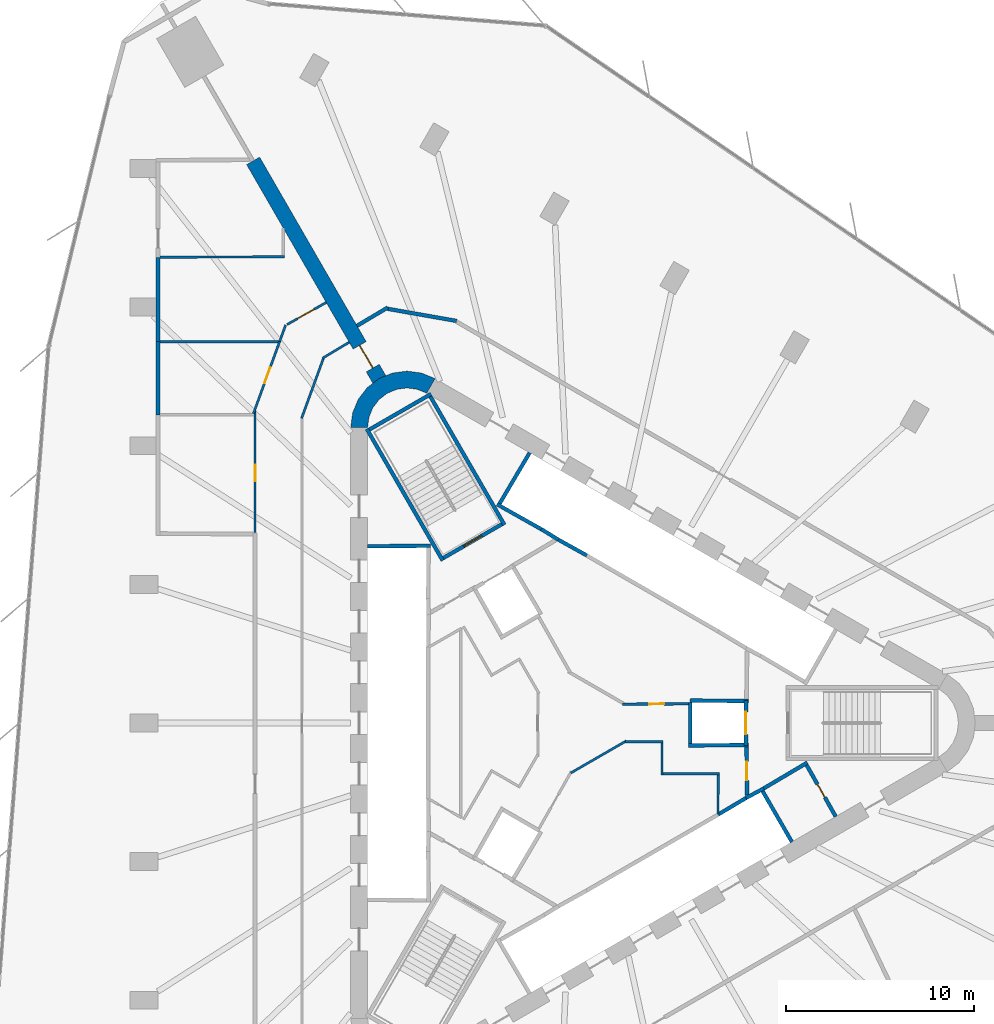
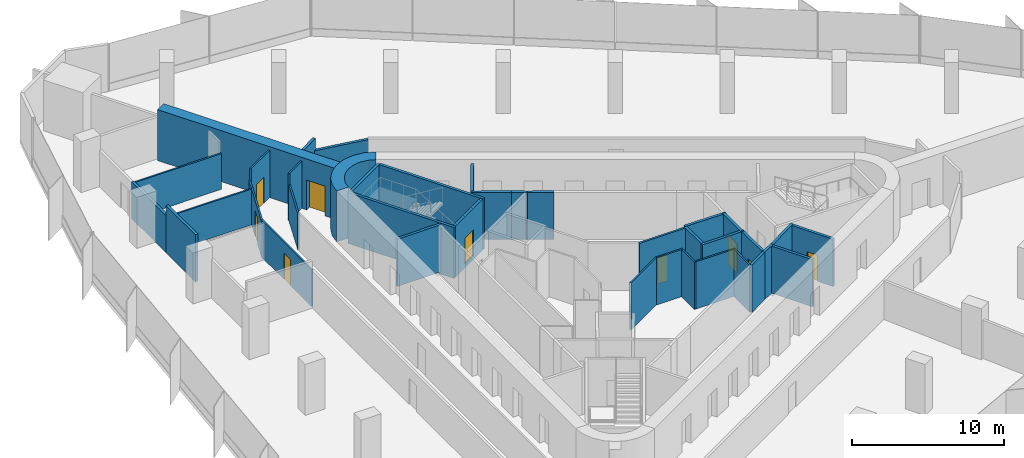
# One storey, part 11 of 14: 39 walls, 9 doors, 9 openings.
"""IFC4 building model written with IfcOpenShell, lengths in metres."""

from ifc_helpers import new_model, si_unit, direction, frame, frame_2d, origin, place, context, subcontext, project, spatial, polyline, rectangle, outline, extrude, material, layer, layer_set, type_object, element, fill, save


model = new_model("IFC4")

# Units and contexts
model_context = context("Model", 3, precision=1e-05, world=origin(), true_north=direction((0.0, 1.0)))
body_context = subcontext(model_context, "Body", "Model", "MODEL_VIEW")
ifc_project = project(units=[si_unit("LENGTHUNIT", "METRE"), si_unit("AREAUNIT", "SQUARE_METRE"), si_unit("VOLUMEUNIT", "CUBIC_METRE"), si_unit("PLANEANGLEUNIT", "RADIAN"), si_unit("MASSUNIT", "GRAM", prefix="KILO")], contexts=[model_context])

# Site, building, storey
site_placement = place(None, origin())
site = spatial("IfcSite", under=ifc_project, at=site_placement, CompositionType="ELEMENT")
building_placement = place(site_placement, origin())
building = spatial("IfcBuilding", under=site, at=building_placement, Name="Tanit Gate Tower", CompositionType="ELEMENT")
storey_placement = place(building_placement, frame((0.0, 0.0, 86.5)))
storey = spatial("IfcBuildingStorey", under=building, at=storey_placement, Name="L17", CompositionType="ELEMENT", Elevation=86.5)

# Wall, opening, door
ifc_material_1 = material(Name="Concrete C60/75", Category="concrete")
ifc_layer_1 = layer(ifc_material_1, 0.800048828125)
ifc_layer_set_1 = layer_set([ifc_layer_1], Name="BUTTRESS FIN 800 C60/75")
wall_type_1 = type_object("IfcWallType", Name="BUTTRESS FIN 800 C60/75", PredefinedType="SHEAR", material=ifc_layer_set_1)
wall_1_placement = place(storey_placement, frame((-10.574951171875, 18.31640625, 0.0), z_axis=(0.0, 0.0, 1.0), x_axis=(-0.499995223427, 0.866028161523, 0.0)))
wall_1 = element("IfcWall", 1, at=wall_1_placement, inside=storey, type_object=wall_type_1, Name="BUTTRESS FIN", PredefinedType="SHEAR", context=body_context, shape_type="SweptSolid", body=[
    extrude(rectangle(XDim=13.455322265625, YDim=0.800048828125, at=frame_2d((6.7275390625, 0.0))), origin(), (0.0, 0.0, 1.0), 4.10009765625),
])
opening_1_placement = place(wall_1_placement, frame((0.699951171875, 0.0, 0.0)))
opening_1 = element("IfcOpeningElement", 2, at=opening_1_placement, cuts=wall_1, Name="Opening P14-S03-F-NW-1", PredefinedType="OPENING", context=body_context, shape_type="SweptSolid", body=[
    extrude(rectangle(XDim=1.39990234375, YDim=2.39990234375, at=frame_2d((0.699951171875, 1.199951171875))), frame((0.0, 0.41015625, 0.0), z_axis=(0.0, -1.0, 0.0), x_axis=(1.0, 0.0, 0.0)), (0.0, 0.0, 1.0), 0.820068359375),
])
ifc_material_2 = material(Name="Timber door leaf", Category="wood")
door_type_1 = type_object("IfcDoorType", Name="INT-DOOR-FIN-PAIR-1400", OperationType="NOTDEFINED", PredefinedType="NOTDEFINED", material=ifc_material_2)
door_1_placement = place(opening_1_placement, origin())
door_1 = element("IfcDoor", 3, at=door_1_placement, inside=storey, type_object=door_type_1, Name="Door P14-S03-F-NW-1", OperationType="DOUBLE_DOOR_SINGLE_SWING", OverallHeight=2.39990234375, OverallWidth=1.39990234375, PredefinedType="NOTDEFINED", context=body_context, shape_type="SweptSolid", body=[
    extrude(rectangle(XDim=1.39990234375, YDim=2.39990234375, at=frame_2d((0.699951171875, 1.199951171875))), frame((0.0, 0.02490234375, 0.0), z_axis=(0.0, -1.0, 0.0), x_axis=(1.0, 0.0, 0.0)), (0.0, 0.0, 1.0), 0.050048828125),
])
fill(opening_1, door_1)

# Walls
ifc_material_3 = material(Name="Concrete C60/75", Category="concrete")
ifc_layer_2 = layer(ifc_material_3, 0.89990234375)
ifc_layer_set_2 = layer_set([ifc_layer_2], Name="CORE WALL 900 C60/75")
wall_type_2 = type_object("IfcWallType", Name="CORE WALL 900 C60/75", PredefinedType="SHEAR", material=ifc_layer_set_2)
wall_2_placement = place(storey_placement, origin())
element("IfcWall", 4, at=wall_2_placement, inside=storey, type_object=wall_type_2, Name="CORE WALL CORNER", PredefinedType="SHEAR", context=body_context, shape_type="SweptSolid", body=[
    extrude(outline(polyline([(-7.60009765625, 18.359619140625), (-8.323486328125, 18.659423828125), (-9.10009765625, 18.76171875), (-9.87646484375, 18.659423828125), (-10.60009765625, 18.359619140625), (-11.22119140625, 17.883056640625), (-11.697998046875, 17.26171875), (-11.997802734375, 16.5380859375), (-12.10009765625, 15.76171875), (-11.199951171875, 15.76171875), (-11.12841796875, 16.30517578125), (-10.918701171875, 16.811767578125), (-10.5849609375, 17.24658203125), (-10.14990234375, 17.580322265625), (-9.6435546875, 17.7900390625), (-9.10009765625, 17.86181640625), (-8.556396484375, 17.7900390625), (-8.050048828125, 17.580322265625), (-7.60009765625, 18.359619140625)])), origin(), (0.0, 0.0, 1.0), 4.10009765625),
])
ifc_material_4 = material(Name="Fire-rated gypsum board partition")
ifc_layer_3 = layer(ifc_material_4, 0.199951171875)
ifc_layer_set_3 = layer_set([ifc_layer_3], Name="INT-WALL-COMPARTMENT")
wall_type_3 = type_object("IfcWallType", Name="INT-WALL-COMPARTMENT", PredefinedType="PARTITIONING", material=ifc_layer_set_3)
wall_3_placement = place(storey_placement, frame((12.244873046875, -2.10888671875, 0.0), z_axis=(0.0, 0.0, 1.0), x_axis=(-0.860414880418, -0.509594185166, 0.0)))
element("IfcWall", 5, at=wall_3_placement, inside=storey, type_object=wall_type_3, Name="Wall Compartment W057", PredefinedType="PARTITIONING", context=body_context, shape_type="SweptSolid", body=[
    extrude(rectangle(XDim=2.7001953125, YDim=0.199951171875, at=frame_2d((1.35009765625, 0.0))), origin(), (0.0, 0.0, 1.0), 3.800048828125),
])

# Wall, opening, door
wall_4_placement = place(storey_placement, frame((13.758056640625, -4.989501953125, 0.0), z_axis=(0.0, 0.0, 1.0), x_axis=(-0.491993409184, 0.87059892334, 0.0)))
wall_4 = element("IfcWall", 6, at=wall_4_placement, inside=storey, type_object=wall_type_3, Name="Wall Compartment W058", PredefinedType="PARTITIONING", context=body_context, shape_type="SweptSolid", body=[
    extrude(rectangle(XDim=3.150146484375, YDim=0.199951171875, at=frame_2d((1.5751953125, 0.0))), origin(), (0.0, 0.0, 1.0), 3.800048828125),
])
opening_2_placement = place(wall_4_placement, frame((1.175048828125, 0.0, 0.0)))
opening_2 = element("IfcOpeningElement", 7, at=opening_2_placement, cuts=wall_4, Name="Opening R08-S03-14", PredefinedType="OPENING", context=body_context, shape_type="SweptSolid", body=[
    extrude(rectangle(XDim=0.800048828125, YDim=2.10009765625, at=frame_2d((0.39990234375, 1.050048828125))), frame((0.0, 0.10986328125, 0.0), z_axis=(0.0, -1.0, 0.0), x_axis=(1.0, 0.0, 0.0)), (0.0, 0.0, 1.0), 0.219970703125),
])
ifc_material_5 = material(Name="Timber door leaf", Category="wood")
door_type_2 = type_object("IfcDoorType", Name="INT-DOOR-RISER-800", OperationType="NOTDEFINED", PredefinedType="USERDEFINED", material=ifc_material_5)
door_2_placement = place(opening_2_placement, origin())
door_2 = element("IfcDoor", 8, at=door_2_placement, inside=storey, type_object=door_type_2, Name="Door R08-S03-14", ObjectType="FIRE DOOR", OperationType="SINGLE_SWING_RIGHT", OverallHeight=2.10009765625, OverallWidth=0.800048828125, PredefinedType="USERDEFINED", context=body_context, shape_type="SweptSolid", body=[
    extrude(rectangle(XDim=0.800048828125, YDim=2.10009765625, at=frame_2d((0.39990234375, 1.050048828125))), frame((0.0, 0.02490234375, 0.0), z_axis=(0.0, -1.0, 0.0), x_axis=(1.0, 0.0, 0.0)), (0.0, 0.0, 1.0), 0.050048828125),
])
fill(opening_2, door_2)

wall_5_placement = place(storey_placement, frame((9.02880859375, -3.850830078125, 0.0), z_axis=(0.0, 0.0, 1.0), x_axis=(-0.010783593937, 0.99994185536, 0.0)))
wall_5 = element("IfcWall", 9, at=wall_5_placement, inside=storey, type_object=wall_type_3, Name="Wall Compartment W060", PredefinedType="PARTITIONING", context=body_context, shape_type="SweptSolid", body=[
    extrude(rectangle(XDim=2.5810546875, YDim=0.199951171875, at=frame_2d((1.29052734375, 0.0))), origin(), (0.0, 0.0, 1.0), 3.800048828125),
])
opening_3_placement = place(wall_5_placement, frame((0.79052734375, 0.0, 0.0)))
opening_3 = element("IfcOpeningElement", 10, at=opening_3_placement, cuts=wall_5, Name="Opening F10-S03-02", PredefinedType="OPENING", context=body_context, shape_type="SweptSolid", body=[
    extrude(rectangle(XDim=1.0, YDim=2.10009765625, at=frame_2d((0.5, 1.050048828125))), frame((0.0, 0.10986328125, 0.0), z_axis=(0.0, -1.0, 0.0), x_axis=(1.0, 0.0, 0.0)), (0.0, 0.0, 1.0), 0.219970703125),
])
ifc_material_6 = material(Name="Fire-rated steel door leaf", Category="steel")
door_type_3 = type_object("IfcDoorType", Name="INT-DOOR-FIRE-1000", OperationType="NOTDEFINED", PredefinedType="USERDEFINED", material=ifc_material_6)
door_3_placement = place(opening_3_placement, origin())
door_3 = element("IfcDoor", 11, at=door_3_placement, inside=storey, type_object=door_type_3, Name="Door F10-S03-02", ObjectType="FIRE DOOR", OperationType="SINGLE_SWING_LEFT", OverallHeight=2.10009765625, OverallWidth=1.0, PredefinedType="USERDEFINED", context=body_context, shape_type="SweptSolid", body=[
    extrude(rectangle(XDim=1.0, YDim=2.10009765625, at=frame_2d((0.5, 1.050048828125))), frame((0.0, 0.02490234375, 0.0), z_axis=(0.0, -1.0, 0.0), x_axis=(1.0, 0.0, 0.0)), (0.0, 0.0, 1.0), 0.050048828125),
])
fill(opening_3, door_3)

# Walls
wall_6_placement = place(storey_placement, frame((-10.11767578125, 22.157470703125, 0.0), z_axis=(0.0, 0.0, 1.0), x_axis=(-0.859118225537, -0.511777172752, 0.0)))
element("IfcWall", 12, at=wall_6_placement, inside=storey, type_object=wall_type_3, Name="Wall Compartment W096", PredefinedType="PARTITIONING", context=body_context, shape_type="SweptSolid", body=[
    extrude(rectangle(XDim=1.916748046875, YDim=0.199951171875, at=frame_2d((0.95849609375, 0.0))), origin(), (0.0, 0.0, 1.0), 3.800048828125),
])
wall_7_placement = place(storey_placement, frame((-6.458984375, 21.435546875, 0.0), z_axis=(0.0, 0.0, 1.0), x_axis=(-0.984812903812, 0.173618963498, 0.0)))
element("IfcWall", 13, at=wall_7_placement, inside=storey, type_object=wall_type_3, Name="Wall Compartment W097", PredefinedType="PARTITIONING", context=body_context, shape_type="SweptSolid", body=[
    extrude(rectangle(XDim=3.76708984375, YDim=0.199951171875, at=frame_2d((1.883544921875, 0.0))), origin(), (0.0, 0.0, 1.0), 2.8798828125),
])
wall_8_placement = place(storey_placement, frame((-22.3701171875, 16.431396484375, 0.0), z_axis=(0.0, 0.0, 1.0), x_axis=(0.0, 1.0, 0.0)))
element("IfcWall", 14, at=wall_8_placement, inside=storey, type_object=wall_type_3, Name="Wall Compartment W113", PredefinedType="PARTITIONING", context=body_context, shape_type="SweptSolid", body=[
    extrude(rectangle(XDim=3.89794921875, YDim=0.199951171875, at=frame_2d((1.948974609375, 0.0))), origin(), (0.0, 0.0, 1.0), 3.800048828125),
])
wall_9_placement = place(storey_placement, frame((-22.3701171875, 20.329345703125, 0.0), z_axis=(0.0, 0.0, 1.0), x_axis=(0.0, 1.0, 0.0)))
element("IfcWall", 15, at=wall_9_placement, inside=storey, type_object=wall_type_3, Name="Wall Compartment W114", PredefinedType="PARTITIONING", context=body_context, shape_type="SweptSolid", body=[
    extrude(rectangle(XDim=4.499755859375, YDim=0.199951171875, at=frame_2d((2.25, 0.0))), origin(), (0.0, 0.0, 1.0), 2.97998046875),
])
ifc_material_7 = material(Name="Gypsum board partition")
ifc_layer_4 = layer(ifc_material_7, 0.1201171875)
ifc_layer_set_4 = layer_set([ifc_layer_4], Name="INT-WALL-PARTITION")
wall_type_4 = type_object("IfcWallType", Name="INT-WALL-PARTITION", PredefinedType="PARTITIONING", material=ifc_layer_set_4)
wall_10_placement = place(storey_placement, frame((2.6015625, -0.947998046875, 0.0), z_axis=(0.0, 0.0, 1.0), x_axis=(-0.866025804792, -0.499999305434, 0.0)))
element("IfcWall", 16, at=wall_10_placement, inside=storey, type_object=wall_type_4, Name="Wall Partition W069", PredefinedType="PARTITIONING", context=body_context, shape_type="SweptSolid", body=[
    extrude(rectangle(XDim=3.43505859375, YDim=0.1201171875, at=frame_2d((1.717529296875, 0.0))), origin(), (0.0, 0.0, 1.0), 3.800048828125),
])
wall_11_placement = place(storey_placement, frame((4.56005859375, -1.0, 0.0), z_axis=(0.0, 0.0, 1.0), x_axis=(-1.0, 0.0, 0.0)))
element("IfcWall", 17, at=wall_11_placement, inside=storey, type_object=wall_type_4, Name="Wall Partition W070", PredefinedType="PARTITIONING", context=body_context, shape_type="SweptSolid", body=[
    extrude(rectangle(XDim=2.030029296875, YDim=0.1201171875, at=frame_2d((1.01513671875, 0.0))), origin(), (0.0, 0.0, 1.0), 3.800048828125),
])
wall_12_placement = place(storey_placement, frame((4.5, -2.760009765625, 0.0), z_axis=(0.0, 0.0, 1.0), x_axis=(0.0, 1.0, 0.0)))
element("IfcWall", 18, at=wall_12_placement, inside=storey, type_object=wall_type_4, Name="Wall Partition W071", PredefinedType="PARTITIONING", context=body_context, shape_type="SweptSolid", body=[
    extrude(rectangle(XDim=1.699951171875, YDim=0.1201171875, at=frame_2d((0.85009765625, 0.0))), origin(), (0.0, 0.0, 1.0), 3.800048828125),
])
wall_13_placement = place(storey_placement, frame((7.56005859375, -2.699951171875, 0.0), z_axis=(0.0, 0.0, 1.0), x_axis=(-1.0, 0.0, 0.0)))
element("IfcWall", 19, at=wall_13_placement, inside=storey, type_object=wall_type_4, Name="Wall Partition W072", PredefinedType="PARTITIONING", context=body_context, shape_type="SweptSolid", body=[
    extrude(rectangle(XDim=3.0, YDim=0.1201171875, at=frame_2d((1.5, 0.0))), origin(), (0.0, 0.0, 1.0), 3.800048828125),
])
wall_14_placement = place(storey_placement, frame((7.474609375, -4.864501953125, 0.0), z_axis=(0.0, 0.0, 1.0), x_axis=(0.011716133148, 0.999931363757, 0.0)))
element("IfcWall", 20, at=wall_14_placement, inside=storey, type_object=wall_type_4, Name="Wall Partition W073", PredefinedType="PARTITIONING", context=body_context, shape_type="SweptSolid", body=[
    extrude(rectangle(XDim=2.104736328125, YDim=0.1201171875, at=frame_2d((1.05224609375, 0.0))), origin(), (0.0, 0.0, 1.0), 3.800048828125),
])
wall_15_placement = place(storey_placement, frame((-12.181396484375, 20.299072265625, 0.0), z_axis=(0.0, 0.0, 1.0), x_axis=(-0.8583241935, -0.51310776534, 0.0)))
element("IfcWall", 21, at=wall_15_placement, inside=storey, type_object=wall_type_4, Name="Wall Partition W084", PredefinedType="PARTITIONING", context=body_context, shape_type="SweptSolid", body=[
    extrude(rectangle(XDim=1.65625, YDim=0.1201171875, at=frame_2d((0.828125, 0.0))), origin(), (0.0, 0.0, 1.0), 3.800048828125),
])
wall_16_placement = place(storey_placement, frame((-13.54931640625, 19.461181640625, 0.0), z_axis=(0.0, 0.0, 1.0), x_axis=(-0.341989191955, -0.939703885586, 0.0)))
element("IfcWall", 22, at=wall_16_placement, inside=storey, type_object=wall_type_4, Name="Wall Partition W085", PredefinedType="PARTITIONING", context=body_context, shape_type="SweptSolid", body=[
    extrude(rectangle(XDim=3.424560546875, YDim=0.1201171875, at=frame_2d((1.71240234375, 0.0))), origin(), (0.0, 0.0, 1.0), 2.8798828125),
])

# Wall, opening, door
wall_17_placement = place(storey_placement, frame((-17.199951171875, 16.740234375, 0.0), z_axis=(0.0, 0.0, 1.0), x_axis=(0.0, -1.0, 0.0)))
wall_17 = element("IfcWall", 23, at=wall_17_placement, inside=storey, type_object=wall_type_4, Name="Wall Partition W092", PredefinedType="PARTITIONING", context=body_context, shape_type="SweptSolid", body=[
    extrude(rectangle(XDim=6.5703125, YDim=0.1201171875, at=frame_2d((3.28515625, 0.0))), origin(), (0.0, 0.0, 1.0), 2.97998046875),
])
opening_4_placement = place(wall_17_placement, frame((2.959716796875, 0.0, 0.0)))
opening_4 = element("IfcOpeningElement", 24, at=opening_4_placement, cuts=wall_17, Name="Opening D09-S03-16", PredefinedType="OPENING", context=body_context, shape_type="SweptSolid", body=[
    extrude(rectangle(XDim=0.89990234375, YDim=2.10009765625, at=frame_2d((0.449951171875, 1.050048828125))), frame((0.0, 0.070068359375, 0.0), z_axis=(0.0, -1.0, 0.0), x_axis=(1.0, 0.0, 0.0)), (0.0, 0.0, 1.0), 0.14013671875),
])
ifc_material_8 = material(Name="Timber door leaf", Category="wood")
door_type_4 = type_object("IfcDoorType", Name="INT-DOOR-SINGLE-900", OperationType="NOTDEFINED", PredefinedType="NOTDEFINED", material=ifc_material_8)
door_4_placement = place(opening_4_placement, origin())
door_4 = element("IfcDoor", 25, at=door_4_placement, inside=storey, type_object=door_type_4, Name="Door D09-S03-16", OperationType="SINGLE_SWING_LEFT", OverallHeight=2.10009765625, OverallWidth=0.89990234375, PredefinedType="NOTDEFINED", context=body_context, shape_type="SweptSolid", body=[
    extrude(rectangle(XDim=0.89990234375, YDim=2.10009765625, at=frame_2d((0.449951171875, 1.050048828125))), frame((0.0, 0.02490234375, 0.0), z_axis=(0.0, -1.0, 0.0), x_axis=(1.0, 0.0, 0.0)), (0.0, 0.0, 1.0), 0.050048828125),
])
fill(opening_4, door_4)

# Wall
wall_18_placement = place(storey_placement, frame((-15.5703125, 21.218017578125, 0.0), z_axis=(0.0, 0.0, 1.0), x_axis=(-0.342015355476, -0.939694363407, 0.0)))
element("IfcWall", 26, at=wall_18_placement, inside=storey, type_object=wall_type_4, Name="Wall Partition W094", PredefinedType="PARTITIONING", context=body_context, shape_type="SweptSolid", body=[
    extrude(rectangle(XDim=0.935791015625, YDim=0.1201171875, at=frame_2d((0.4677734375, 0.0))), origin(), (0.0, 0.0, 1.0), 2.8798828125),
])

# Wall, opening, door
wall_19_placement = place(storey_placement, frame((-15.890380859375, 20.338623046875, 0.0), z_axis=(0.0, 0.0, 1.0), x_axis=(-0.341977654868, -0.939708084232, 0.0)))
wall_19 = element("IfcWall", 27, at=wall_19_placement, inside=storey, type_object=wall_type_4, Name="Wall Partition W093", PredefinedType="PARTITIONING", context=body_context, shape_type="SweptSolid", body=[
    extrude(rectangle(XDim=4.09423828125, YDim=0.1201171875, at=frame_2d((2.047119140625, 0.0))), origin(), (0.0, 0.0, 1.0), 2.8798828125),
])
opening_5_placement = place(wall_19_placement, frame((1.464599609375, 0.0, 0.0)))
opening_5 = element("IfcOpeningElement", 28, at=opening_5_placement, cuts=wall_19, Name="Opening D09-S03-17", PredefinedType="OPENING", context=body_context, shape_type="SweptSolid", body=[
    extrude(rectangle(XDim=0.89990234375, YDim=2.10009765625, at=frame_2d((0.449951171875, 1.050048828125))), frame((0.0, 0.070068359375, 0.0), z_axis=(0.0, -1.0, 0.0), x_axis=(1.0, 0.0, 0.0)), (0.0, 0.0, 1.0), 0.14013671875),
])
door_5_placement = place(opening_5_placement, origin())
door_5 = element("IfcDoor", 29, at=door_5_placement, inside=storey, type_object=door_type_4, Name="Door D09-S03-17", OperationType="SINGLE_SWING_LEFT", OverallHeight=2.10009765625, OverallWidth=0.89990234375, PredefinedType="NOTDEFINED", context=body_context, shape_type="SweptSolid", body=[
    extrude(rectangle(XDim=0.89990234375, YDim=2.10009765625, at=frame_2d((0.449951171875, 1.050048828125))), frame((0.0, 0.02490234375, 0.0), z_axis=(0.0, -1.0, 0.0), x_axis=(1.0, 0.0, 0.0)), (0.0, 0.0, 1.0), 0.050048828125),
])
fill(opening_5, door_5)

wall_20_placement = place(storey_placement, frame((-13.406494140625, 22.4208984375, 0.0), z_axis=(0.0, 0.0, 1.0), x_axis=(-0.87117593963, -0.490970958622, 0.0)))
wall_20 = element("IfcWall", 30, at=wall_20_placement, inside=storey, type_object=wall_type_4, Name="Wall Partition W095", PredefinedType="PARTITIONING", context=body_context, shape_type="SweptSolid", body=[
    extrude(rectangle(XDim=2.400390625, YDim=0.1201171875, at=frame_2d((1.2001953125, 0.0))), origin(), (0.0, 0.0, 1.0), 3.800048828125),
])
opening_6_placement = place(wall_20_placement, frame((0.75, 0.0, 0.0)))
opening_6 = element("IfcOpeningElement", 31, at=opening_6_placement, cuts=wall_20, Name="Opening D10-S03-18", PredefinedType="OPENING", context=body_context, shape_type="SweptSolid", body=[
    extrude(rectangle(XDim=1.0, YDim=2.10009765625, at=frame_2d((0.5, 1.050048828125))), frame((0.0, 0.070068359375, 0.0), z_axis=(0.0, -1.0, 0.0), x_axis=(1.0, 0.0, 0.0)), (0.0, 0.0, 1.0), 0.14013671875),
])
ifc_material_9 = material(Name="Timber door leaf", Category="wood")
door_type_5 = type_object("IfcDoorType", Name="INT-DOOR-SINGLE-1000", OperationType="NOTDEFINED", PredefinedType="NOTDEFINED", material=ifc_material_9)
door_6_placement = place(opening_6_placement, origin())
door_6 = element("IfcDoor", 32, at=door_6_placement, inside=storey, type_object=door_type_5, Name="Door D10-S03-18", OperationType="SINGLE_SWING_LEFT", OverallHeight=2.10009765625, OverallWidth=1.0, PredefinedType="NOTDEFINED", context=body_context, shape_type="SweptSolid", body=[
    extrude(rectangle(XDim=1.0, YDim=2.10009765625, at=frame_2d((0.5, 1.050048828125))), frame((0.0, 0.02490234375, 0.0), z_axis=(0.0, -1.0, 0.0), x_axis=(1.0, 0.0, 0.0)), (0.0, 0.0, 1.0), 0.050048828125),
])
fill(opening_6, door_6)

# Walls
wall_21_placement = place(storey_placement, frame((-22.27001953125, 20.329345703125, 0.0), z_axis=(0.0, 0.0, 1.0), x_axis=(1.0, 0.0, 0.0)))
element("IfcWall", 33, at=wall_21_placement, inside=storey, type_object=wall_type_4, Name="Wall Partition W121", PredefinedType="PARTITIONING", context=body_context, shape_type="SweptSolid", body=[
    extrude(rectangle(XDim=6.3125, YDim=0.1201171875, at=frame_2d((3.15625, 0.0))), origin(), (0.0, 0.0, 1.0), 2.8798828125),
])
wall_22_placement = place(storey_placement, frame((-15.639892578125, 24.859375, 0.0), z_axis=(0.0, 0.0, 1.0), x_axis=(-0.999989909342, -0.004492350736, 0.0)))
element("IfcWall", 34, at=wall_22_placement, inside=storey, type_object=wall_type_4, Name="Wall Partition W122", PredefinedType="PARTITIONING", context=body_context, shape_type="SweptSolid", body=[
    extrude(rectangle(XDim=6.630126953125, YDim=0.1201171875, at=frame_2d((3.31494140625, 0.0))), origin(), (0.0, 0.0, 1.0), 2.8798828125),
])

# Wall, opening, door
ifc_material_10 = material(Name="Fire-rated gypsum board partition")
ifc_layer_5 = layer(ifc_material_10, 0.14990234375)
ifc_layer_set_5 = layer_set([ifc_layer_5], Name="INT-WALL-RISER")
wall_type_5 = type_object("IfcWallType", Name="INT-WALL-RISER", PredefinedType="PLUMBINGWALL", material=ifc_layer_set_5)
wall_23_placement = place(storey_placement, frame((2.384033203125, 0.9990234375, 0.0), z_axis=(0.0, 0.0, 1.0), x_axis=(0.999964703434, 0.008401897723, 0.0)))
wall_23 = element("IfcWall", 35, at=wall_23_placement, inside=storey, type_object=wall_type_5, Name="Wall Riser W065", PredefinedType="PLUMBINGWALL", context=body_context, shape_type="SweptSolid", body=[
    extrude(rectangle(XDim=3.51611328125, YDim=0.14990234375, at=frame_2d((1.758056640625, 0.0))), origin(), (0.0, 0.0, 1.0), 3.800048828125),
])
opening_7_placement = place(wall_23_placement, frame((1.421630859375, 0.0, 0.0)))
opening_7 = element("IfcOpeningElement", 36, at=opening_7_placement, cuts=wall_23, Name="Opening R08-S03-10", PredefinedType="OPENING", context=body_context, shape_type="SweptSolid", body=[
    extrude(rectangle(XDim=0.800048828125, YDim=2.10009765625, at=frame_2d((0.39990234375, 1.050048828125))), frame((0.0, 0.0849609375, 0.0), z_axis=(0.0, -1.0, 0.0), x_axis=(1.0, 0.0, 0.0)), (0.0, 0.0, 1.0), 0.169921875),
])
door_7_placement = place(opening_7_placement, origin())
door_7 = element("IfcDoor", 37, at=door_7_placement, inside=storey, type_object=door_type_2, Name="Door R08-S03-10", ObjectType="FIRE DOOR", OperationType="SINGLE_SWING_RIGHT", OverallHeight=2.10009765625, OverallWidth=0.800048828125, PredefinedType="USERDEFINED", context=body_context, shape_type="SweptSolid", body=[
    extrude(rectangle(XDim=0.800048828125, YDim=2.10009765625, at=frame_2d((0.39990234375, 1.050048828125))), frame((0.0, 0.02490234375, 0.0), z_axis=(0.0, -1.0, 0.0), x_axis=(1.0, 0.0, 0.0)), (0.0, 0.0, 1.0), 0.050048828125),
])
fill(opening_7, door_7)

# Walls
ifc_material_11 = material(Name="Gypsum shaft wall system")
ifc_layer_6 = layer(ifc_material_11, 0.199951171875)
ifc_layer_set_6 = layer_set([ifc_layer_6], Name="INT-WALL-SHAFT")
wall_type_6 = type_object("IfcWallType", Name="INT-WALL-SHAFT", PredefinedType="PLUMBINGWALL", material=ifc_layer_set_6)
wall_24_placement = place(storey_placement, frame((-11.199951171875, 9.419921875, 0.0), z_axis=(0.0, 0.0, 1.0), x_axis=(0.999957167047, 0.009255488683, 0.0)))
element("IfcWall", 38, at=wall_24_placement, inside=storey, type_object=wall_type_6, Name="Wall Shaft W001", PredefinedType="PLUMBINGWALL", context=body_context, shape_type="SweptSolid", body=[
    extrude(rectangle(XDim=3.35009765625, YDim=0.199951171875, at=frame_2d((1.675048828125, 0.0))), origin(), (0.0, 0.0, 1.0), 3.800048828125),
])
wall_25_placement = place(storey_placement, frame((-1.940673828125, 10.338623046875, 0.0), z_axis=(0.0, 0.0, 1.0), x_axis=(0.850216889117, -0.526432561171, 0.0)))
element("IfcWall", 39, at=wall_25_placement, inside=storey, type_object=wall_type_6, Name="Wall Shaft W019", PredefinedType="PLUMBINGWALL", context=body_context, shape_type="SweptSolid", body=[
    extrude(rectangle(XDim=1.078369140625, YDim=0.199951171875, at=frame_2d((0.5390625, 0.0))), origin(), (0.0, 0.0, 1.0), 3.800048828125),
])
wall_26_placement = place(storey_placement, frame((0.482666015625, 8.935791015625, 0.0), z_axis=(0.0, 0.0, 1.0), x_axis=(-0.874269620932, 0.485440655401, 0.0)))
element("IfcWall", 40, at=wall_26_placement, inside=storey, type_object=wall_type_6, Name="Wall Shaft W020", PredefinedType="PLUMBINGWALL", context=body_context, shape_type="SweptSolid", body=[
    extrude(rectangle(XDim=1.8447265625, YDim=0.199951171875, at=frame_2d((0.92236328125, 0.0))), origin(), (0.0, 0.0, 1.0), 3.800048828125),
])
wall_27_placement = place(storey_placement, frame((-4.296142578125, 11.658935546875, 0.0), z_axis=(0.0, 0.0, 1.0), x_axis=(0.871534483978, -0.490334215854, 0.0)))
element("IfcWall", 41, at=wall_27_placement, inside=storey, type_object=wall_type_6, Name="Wall Shaft W021", PredefinedType="PLUMBINGWALL", context=body_context, shape_type="SweptSolid", body=[
    extrude(rectangle(XDim=2.7001953125, YDim=0.199951171875, at=frame_2d((1.35009765625, 0.0))), origin(), (0.0, 0.0, 1.0), 3.800048828125),
])
wall_28_placement = place(storey_placement, frame((-4.158203125, 11.696044921875, 0.0), z_axis=(0.0, 0.0, 1.0), x_axis=(0.508018930956, 0.861345903683, 0.0)))
element("IfcWall", 42, at=wall_28_placement, inside=storey, type_object=wall_type_6, Name="Wall Shaft W022", PredefinedType="PLUMBINGWALL", context=body_context, shape_type="SweptSolid", body=[
    extrude(rectangle(XDim=3.150146484375, YDim=0.199951171875, at=frame_2d((1.5751953125, 0.0))), origin(), (0.0, 0.0, 1.0), 3.800048828125),
])
wall_29_placement = place(storey_placement, frame((9.794677734375, -3.52490234375, 0.0), z_axis=(0.0, 0.0, 1.0), x_axis=(0.499984717929, -0.866034226713, 0.0)))
element("IfcWall", 43, at=wall_29_placement, inside=storey, type_object=wall_type_6, Name="Wall Shaft W024", PredefinedType="PLUMBINGWALL", context=body_context, shape_type="SweptSolid", body=[
    extrude(rectangle(XDim=3.25, YDim=0.199951171875, at=frame_2d((1.625, 0.0))), origin(), (0.0, 0.0, 1.0), 3.800048828125),
])
wall_30_placement = place(storey_placement, frame((8.97412109375, -3.998779296875, 0.0), z_axis=(0.0, 0.0, 1.0), x_axis=(0.880907015104, 0.473289373154, 0.0)))
element("IfcWall", 44, at=wall_30_placement, inside=storey, type_object=wall_type_6, Name="Wall Shaft W025", PredefinedType="PLUMBINGWALL", context=body_context, shape_type="SweptSolid", body=[
    extrude(rectangle(XDim=1.078125, YDim=0.199951171875, at=frame_2d((0.5390625, 0.0))), origin(), (0.0, 0.0, 1.0), 3.800048828125),
])
wall_31_placement = place(storey_placement, frame((7.4931640625, -4.87841796875, 0.0), z_axis=(0.0, 0.0, 1.0), x_axis=(0.859981807212, 0.510324691999, 0.0)))
element("IfcWall", 45, at=wall_31_placement, inside=storey, type_object=wall_type_6, Name="Wall Shaft W026", PredefinedType="PLUMBINGWALL", context=body_context, shape_type="SweptSolid", body=[
    extrude(rectangle(XDim=1.8447265625, YDim=0.199951171875, at=frame_2d((0.92236328125, 0.0))), origin(), (0.0, 0.0, 1.0), 3.800048828125),
])

# Wall, opening, door
wall_32_placement = place(storey_placement, frame((8.969970703125, 1.199951171875, 0.0), z_axis=(0.0, 0.0, 1.0), x_axis=(0.0, -1.0, 0.0)))
wall_32 = element("IfcWall", 46, at=wall_32_placement, inside=storey, type_object=wall_type_6, Name="Wall Shaft W037", PredefinedType="PLUMBINGWALL", context=body_context, shape_type="SweptSolid", body=[
    extrude(rectangle(XDim=2.39990234375, YDim=0.199951171875, at=frame_2d((1.199951171875, 0.0))), origin(), (0.0, 0.0, 1.0), 3.800048828125),
])
opening_8_placement = place(wall_32_placement, frame((0.60009765625, 0.0, 0.0)))
opening_8 = element("IfcOpeningElement", 47, at=opening_8_placement, cuts=wall_32, Name="Opening LDFL1-L17", PredefinedType="OPENING", context=body_context, shape_type="SweptSolid", body=[
    extrude(rectangle(XDim=1.199951171875, YDim=2.39990234375, at=frame_2d((0.60009765625, 1.199951171875))), frame((0.0, 0.10986328125, 0.0), z_axis=(0.0, -1.0, 0.0), x_axis=(1.0, 0.0, 0.0)), (0.0, 0.0, 1.0), 0.219970703125),
])
ifc_material_12 = material(Name="Stainless steel sliding door leaf", Category="steel")
door_type_6 = type_object("IfcDoorType", Name="INT-DOOR-LANDING-1200", OperationType="NOTDEFINED", PredefinedType="USERDEFINED", material=ifc_material_12)
door_8_placement = place(opening_8_placement, origin())
door_8 = element("IfcDoor", 48, at=door_8_placement, inside=storey, type_object=door_type_6, Name="Door LDFL1-L17", ObjectType="LANDING DOOR", OperationType="SLIDING_TO_LEFT", OverallHeight=2.39990234375, OverallWidth=1.199951171875, PredefinedType="USERDEFINED", context=body_context, shape_type="SweptSolid", body=[
    extrude(rectangle(XDim=1.199951171875, YDim=2.39990234375, at=frame_2d((0.60009765625, 1.199951171875))), frame((0.0, 0.02490234375, 0.0), z_axis=(0.0, -1.0, 0.0), x_axis=(1.0, 0.0, 0.0)), (0.0, 0.0, 1.0), 0.050048828125),
])
fill(opening_8, door_8)

# Walls
wall_33_placement = place(storey_placement, frame((6.0, 1.199951171875, 0.0), z_axis=(0.0, 0.0, 1.0), x_axis=(0.999949988, -0.010001074852, 0.0)))
element("IfcWall", 49, at=wall_33_placement, inside=storey, type_object=wall_type_6, Name="Wall Shaft W038", PredefinedType="PLUMBINGWALL", context=body_context, shape_type="SweptSolid", body=[
    extrude(rectangle(XDim=3.100341796875, YDim=0.199951171875, at=frame_2d((1.55029296875, 0.0))), origin(), (0.0, 0.0, 1.0), 3.800048828125),
])
wall_34_placement = place(storey_placement, frame((5.89990234375, -1.200927734375, 0.0), z_axis=(0.0, 0.0, 1.0), x_axis=(0.999950064753, 0.009993397809, 0.0)))
element("IfcWall", 50, at=wall_34_placement, inside=storey, type_object=wall_type_6, Name="Wall Shaft W039", PredefinedType="PLUMBINGWALL", context=body_context, shape_type="SweptSolid", body=[
    extrude(rectangle(XDim=3.200439453125, YDim=0.199951171875, at=frame_2d((1.60009765625, 0.0))), origin(), (0.0, 0.0, 1.0), 3.800048828125),
])
wall_35_placement = place(storey_placement, frame((6.0, -1.10009765625, 0.0), z_axis=(0.0, 0.0, 1.0), x_axis=(0.0, 1.0, 0.0)))
element("IfcWall", 51, at=wall_35_placement, inside=storey, type_object=wall_type_6, Name="Wall Shaft W040", PredefinedType="PLUMBINGWALL", context=body_context, shape_type="SweptSolid", body=[
    extrude(rectangle(XDim=2.20458984375, YDim=0.199951171875, at=frame_2d((1.102294921875, 0.0))), origin(), (0.0, 0.0, 1.0), 3.800048828125),
])
ifc_material_13 = material(Name="Concrete C40/50", Category="concrete")
ifc_layer_7 = layer(ifc_material_13, 0.199951171875)
ifc_layer_set_7 = layer_set([ifc_layer_7], Name="INT-WALL-STAIR")
wall_type_7 = type_object("IfcWallType", Name="INT-WALL-STAIR", PredefinedType="SHEAR", material=ifc_layer_set_7)
wall_36_placement = place(storey_placement, frame((-11.245361328125, 15.677734375, -0.300048828125), z_axis=(0.0, 0.0, 1.0), x_axis=(0.499977274689, -0.866038523851, 0.0)))
element("IfcWall", 52, at=wall_36_placement, inside=storey, type_object=wall_type_7, Name="Wall Stair W041", PredefinedType="SHEAR", context=body_context, shape_type="SweptSolid", body=[
    extrude(rectangle(XDim=8.10009765625, YDim=0.199951171875, at=frame_2d((4.050048828125, 0.0))), origin(), (0.0, 0.0, 1.0), 4.10009765625),
])
wall_37_placement = place(storey_placement, frame((-7.81787109375, 17.541015625, -0.300048828125), z_axis=(0.0, 0.0, 1.0), x_axis=(-0.866044365799, -0.499967155389, 0.0)))
element("IfcWall", 53, at=wall_37_placement, inside=storey, type_object=wall_type_7, Name="Wall Stair W042", PredefinedType="SHEAR", context=body_context, shape_type="SweptSolid", body=[
    extrude(rectangle(XDim=3.800048828125, YDim=0.199951171875, at=frame_2d((1.89990234375, 0.0))), origin(), (0.0, 0.0, 1.0), 4.10009765625),
])
wall_38_placement = place(storey_placement, frame((-7.8544921875, 17.404541015625, -0.300048828125), z_axis=(0.0, 0.0, 1.0), x_axis=(0.499997992926, -0.866026562566, 0.0)))
element("IfcWall", 54, at=wall_38_placement, inside=storey, type_object=wall_type_7, Name="Wall Stair W043", PredefinedType="SHEAR", context=body_context, shape_type="SweptSolid", body=[
    extrude(rectangle(XDim=7.89990234375, YDim=0.199951171875, at=frame_2d((3.949951171875, 0.0))), origin(), (0.0, 0.0, 1.0), 4.10009765625),
])

# Wall, opening, door
wall_39_placement = place(storey_placement, frame((-7.158935546875, 8.799560546875, -0.300048828125), z_axis=(0.0, 0.0, 1.0), x_axis=(0.866047807691, 0.499961193289, 0.0)))
wall_39 = element("IfcWall", 55, at=wall_39_placement, inside=storey, type_object=wall_type_7, Name="Wall Stair W044", PredefinedType="SHEAR", context=body_context, shape_type="SweptSolid", body=[
    extrude(rectangle(XDim=3.599853515625, YDim=0.199951171875, at=frame_2d((1.7998046875, 0.0))), origin(), (0.0, 0.0, 1.0), 4.10009765625),
])
opening_9_placement = place(wall_39_placement, frame((1.25, 0.0, 0.300048828125)))
opening_9 = element("IfcOpeningElement", 56, at=opening_9_placement, cuts=wall_39, Name="Opening S11-S03-04", PredefinedType="OPENING", context=body_context, shape_type="SweptSolid", body=[
    extrude(rectangle(XDim=1.10009765625, YDim=2.10009765625, at=frame_2d((0.550048828125, 1.050048828125))), frame((0.0, 0.10986328125, 0.0), z_axis=(0.0, -1.0, 0.0), x_axis=(1.0, 0.0, 0.0)), (0.0, 0.0, 1.0), 0.219970703125),
])
ifc_material_14 = material(Name="Timber door leaf", Category="wood")
door_type_7 = type_object("IfcDoorType", Name="INT-DOOR-STAIR-1100", OperationType="NOTDEFINED", PredefinedType="USERDEFINED", material=ifc_material_14)
door_9_placement = place(opening_9_placement, origin())
door_9 = element("IfcDoor", 57, at=door_9_placement, inside=storey, type_object=door_type_7, Name="Door S11-S03-04", ObjectType="FIRE DOOR", OperationType="SINGLE_SWING_LEFT", OverallHeight=2.10009765625, OverallWidth=1.10009765625, PredefinedType="USERDEFINED", context=body_context, shape_type="SweptSolid", body=[
    extrude(rectangle(XDim=1.10009765625, YDim=2.10009765625, at=frame_2d((0.550048828125, 1.050048828125))), frame((0.0, 0.02490234375, 0.0), z_axis=(0.0, -1.0, 0.0), x_axis=(1.0, 0.0, 0.0)), (0.0, 0.0, 1.0), 0.050048828125),
])
fill(opening_9, door_9)

save(model, "model.ifc")
